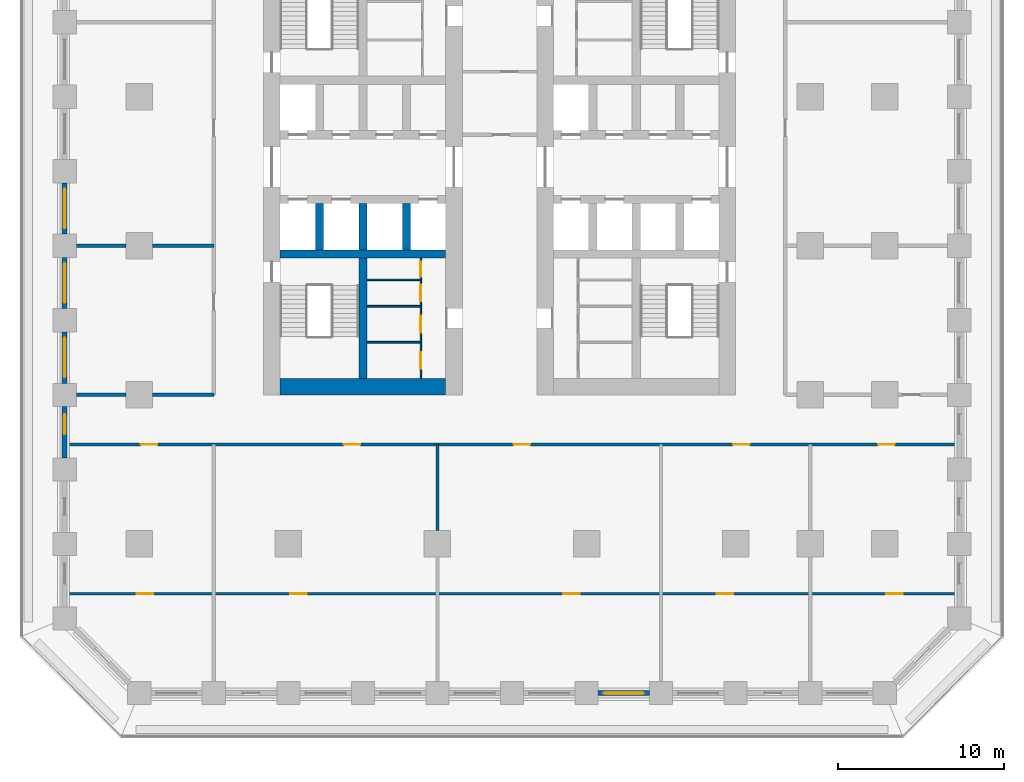
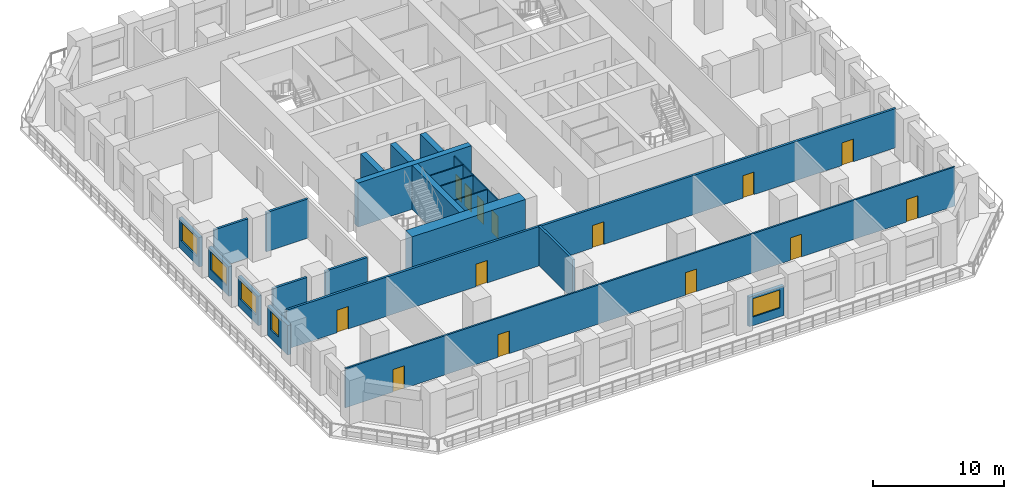
# One storey, part 3 of 11: 25 walls, 14 doors, 5 windows, 19 openings.
"""IFC4 building model written with IfcOpenShell, lengths in metres."""

from ifc_helpers import new_model, si_unit, direction, frame, frame_2d, origin, place, context, subcontext, project, spatial, rectangle, extrude, material, layer, layer_set, type_object, element, fill, save


model = new_model("IFC4")

# Units and contexts
model_context = context("Model", 3, precision=1e-05, world=origin(), true_north=direction((0.0, 1.0)))
body_context = subcontext(model_context, "Body", "Model", "MODEL_VIEW")
ifc_project = project(units=[si_unit("LENGTHUNIT", "METRE"), si_unit("AREAUNIT", "SQUARE_METRE"), si_unit("VOLUMEUNIT", "CUBIC_METRE"), si_unit("PLANEANGLEUNIT", "RADIAN"), si_unit("MASSUNIT", "GRAM", prefix="KILO")], contexts=[model_context])

# Site, building, storey
site_placement = place(None, origin())
site = spatial("IfcSite", under=ifc_project, at=site_placement, CompositionType="ELEMENT")
building_placement = place(site_placement, origin())
building = spatial("IfcBuilding", under=site, at=building_placement, Name="Corbel Stack Research Tower", CompositionType="ELEMENT")
storey_placement = place(building_placement, frame((0.0, 0.0, 54.199951171875)))
storey = spatial("IfcBuildingStorey", under=building, at=storey_placement, Name="L12", CompositionType="ELEMENT", Elevation=54.199951171875)

# Walls
ifc_material_1 = material(Name="Concrete C70/85", Category="concrete")
ifc_layer_1 = layer(ifc_material_1, 1.0)
ifc_layer_set_1 = layer_set([ifc_layer_1], Name="Concrete C70/85")
wall_type_1 = type_object("IfcWallType", Name="CW-1000-70", PredefinedType="SHEAR", material=ifc_layer_set_1)
wall_1_placement = place(storey_placement, frame((-9.5, -8.5, 0.0), z_axis=(0.0, 0.0, 1.0), x_axis=(1.0, 0.0, 0.0)))
element("IfcWall", 1, at=wall_1_placement, inside=storey, type_object=wall_type_1, Name="West core wall, south end L12", PredefinedType="SHEAR", context=body_context, shape_type="SweptSolid", body=[
    extrude(rectangle(XDim=10.0, YDim=1.0, at=frame_2d((5.0, 0.0))), origin(), (0.0, 0.0, 1.0), 4.10009765625),
])
ifc_material_2 = material(Name="Concrete C70/85", Category="concrete")
ifc_layer_2 = layer(ifc_material_2, 0.5)
ifc_layer_set_2 = layer_set([ifc_layer_2], Name="Concrete C70/85")
wall_type_2 = type_object("IfcWallType", Name="CW-500-70", PredefinedType="SHEAR", material=ifc_layer_set_2)
wall_2_placement = place(storey_placement, frame((-9.5, -0.5, 0.0), z_axis=(0.0, 0.0, 1.0), x_axis=(1.0, 0.0, 0.0)))
element("IfcWall", 2, at=wall_2_placement, inside=storey, type_object=wall_type_2, Name="West core wall, south row back L12", PredefinedType="SHEAR", context=body_context, shape_type="SweptSolid", body=[
    extrude(rectangle(XDim=10.0, YDim=0.5, at=frame_2d((5.0, 0.0))), origin(), (0.0, 0.0, 1.0), 4.10009765625),
])
for number, where, z_axis, x_axis, name in (
    (3, (-7.125, -0.25, 0.0), (0.0, 0.0, 1.0), (0.0, 1.0, 0.0), "West core wall, south shaft 1 L12"),
    (4, (-4.5, -0.25, 0.0), (0.0, 0.0, 1.0), (0.0, 1.0, 0.0), "West core wall, south shaft 2 L12"),
    (5, (-1.875, -0.25, 0.0), (0.0, 0.0, 1.0), (0.0, 1.0, 0.0), "West core wall, south shaft 3 L12"),
):
    element("IfcWall", number, at=place(storey_placement, frame(where, z_axis=z_axis, x_axis=x_axis)), inside=storey, type_object=wall_type_2, Name=name, PredefinedType="SHEAR", context=body_context, shape_type="SweptSolid", body=[
        extrude(rectangle(XDim=2.800048828125, YDim=0.5, at=frame_2d((1.39990234375, 0.0))), origin(), (0.0, 0.0, 1.0), 4.10009765625),
    ])
wall_3_placement = place(storey_placement, frame((-4.5, -8.0, 0.0), z_axis=(0.0, 0.0, 1.0), x_axis=(0.0, 1.0, 0.0)))
element("IfcWall", 6, at=wall_3_placement, inside=storey, type_object=wall_type_2, Name="West core wall, south stair and WC L12", PredefinedType="SHEAR", context=body_context, shape_type="SweptSolid", body=[
    extrude(rectangle(XDim=7.25, YDim=0.5, at=frame_2d((3.625, 0.0))), origin(), (0.0, 0.0, 1.0), 4.10009765625),
])

# Wall, opening, door
ifc_material_3 = material(Name="Gypsum board")
ifc_layer_3 = layer(ifc_material_3, 0.10009765625)
ifc_layer_set_3 = layer_set([ifc_layer_3], Name="Gypsum board")
wall_type_3 = type_object("IfcWallType", Name="Core partition 100", PredefinedType="PARTITIONING", material=ifc_layer_set_3)
wall_4_placement = place(storey_placement, frame((-1.0, -8.0, 0.0), z_axis=(0.0, 0.0, 1.0), x_axis=(0.0, 1.0, 0.0)))
wall_4 = element("IfcWall", 7, at=wall_4_placement, inside=storey, type_object=wall_type_3, Name="Core partition W", PredefinedType="PARTITIONING", context=body_context, shape_type="SweptSolid", body=[
    extrude(rectangle(XDim=2.175048828125, YDim=0.10009765625, at=frame_2d((1.08740234375, 0.0))), origin(), (0.0, 0.0, 1.0), 3.650146484375),
])
opening_1_placement = place(wall_4_placement, frame((0.58740234375, 0.0, 0.0)))
opening_1 = element("IfcOpeningElement", 8, at=opening_1_placement, cuts=wall_4, Name="Opening CR-W42-W2-1000", PredefinedType="OPENING", context=body_context, shape_type="SweptSolid", body=[
    extrude(rectangle(XDim=1.0, YDim=2.10009765625, at=frame_2d((0.5, 1.050048828125))), frame((0.0, 0.06005859375, 0.0), z_axis=(0.0, -1.0, 0.0), x_axis=(1.0, 0.0, 0.0)), (0.0, 0.0, 1.0), 0.1201171875),
])
ifc_material_4 = material(Name="Painted timber door", Category="wood")
door_type_1 = type_object("IfcDoorType", Name="WC door 1000 x 2100 right hand", OperationType="SINGLE_SWING_RIGHT", PredefinedType="DOOR", material=ifc_material_4)
door_1_placement = place(opening_1_placement, origin())
door_1 = element("IfcDoor", 9, at=door_1_placement, inside=storey, type_object=door_type_1, Name="Men's WC door W core", OperationType="SINGLE_SWING_RIGHT", OverallHeight=2.10009765625, OverallWidth=1.0, PredefinedType="DOOR", context=body_context, shape_type="SweptSolid", body=[
    extrude(rectangle(XDim=1.0, YDim=2.10009765625, at=frame_2d((0.5, 1.050048828125))), frame((0.0, 0.02490234375, 0.0), z_axis=(0.0, -1.0, 0.0), x_axis=(1.0, 0.0, 0.0)), (0.0, 0.0, 1.0), 0.050048828125),
])
fill(opening_1, door_1)

wall_5_placement = place(storey_placement, frame((-1.0, -5.824951171875, 0.0), z_axis=(0.0, 0.0, 1.0), x_axis=(0.0, 1.0, 0.0)))
wall_5 = element("IfcWall", 10, at=wall_5_placement, inside=storey, type_object=wall_type_3, Name="Core partition W", PredefinedType="PARTITIONING", context=body_context, shape_type="SweptSolid", body=[
    extrude(rectangle(XDim=2.175048828125, YDim=0.10009765625, at=frame_2d((1.08740234375, 0.0))), origin(), (0.0, 0.0, 1.0), 3.650146484375),
])
opening_2_placement = place(wall_5_placement, frame((0.58740234375, 0.0, 0.0)))
opening_2 = element("IfcOpeningElement", 11, at=opening_2_placement, cuts=wall_5, Name="Opening CR-W42-W3-1000", PredefinedType="OPENING", context=body_context, shape_type="SweptSolid", body=[
    extrude(rectangle(XDim=1.0, YDim=2.10009765625, at=frame_2d((0.5, 1.050048828125))), frame((0.0, 0.06005859375, 0.0), z_axis=(0.0, -1.0, 0.0), x_axis=(1.0, 0.0, 0.0)), (0.0, 0.0, 1.0), 0.1201171875),
])
ifc_material_5 = material(Name="Painted timber door", Category="wood")
door_type_2 = type_object("IfcDoorType", Name="WC door 1000 x 2100 left hand", OperationType="SINGLE_SWING_LEFT", PredefinedType="DOOR", material=ifc_material_5)
door_2_placement = place(opening_2_placement, origin())
door_2 = element("IfcDoor", 12, at=door_2_placement, inside=storey, type_object=door_type_2, Name="Women's WC door W core", OperationType="SINGLE_SWING_LEFT", OverallHeight=2.10009765625, OverallWidth=1.0, PredefinedType="DOOR", context=body_context, shape_type="SweptSolid", body=[
    extrude(rectangle(XDim=1.0, YDim=2.10009765625, at=frame_2d((0.5, 1.050048828125))), frame((0.0, 0.02490234375, 0.0), z_axis=(0.0, -1.0, 0.0), x_axis=(1.0, 0.0, 0.0)), (0.0, 0.0, 1.0), 0.050048828125),
])
fill(opening_2, door_2)

wall_6_placement = place(storey_placement, frame((-1.0, -3.64990234375, 0.0), z_axis=(0.0, 0.0, 1.0), x_axis=(0.0, 1.0, 0.0)))
wall_6 = element("IfcWall", 13, at=wall_6_placement, inside=storey, type_object=wall_type_3, Name="Core partition W", PredefinedType="PARTITIONING", context=body_context, shape_type="SweptSolid", body=[
    extrude(rectangle(XDim=1.594970703125, YDim=0.10009765625, at=frame_2d((0.79736328125, 0.0))), origin(), (0.0, 0.0, 1.0), 3.650146484375),
])
opening_3_placement = place(wall_6_placement, frame((0.297607421875, 0.0, 0.0)))
opening_3 = element("IfcOpeningElement", 14, at=opening_3_placement, cuts=wall_6, Name="Opening CR-W42-W4-1000", PredefinedType="OPENING", context=body_context, shape_type="SweptSolid", body=[
    extrude(rectangle(XDim=1.0, YDim=2.10009765625, at=frame_2d((0.5, 1.050048828125))), frame((0.0, 0.06005859375, 0.0), z_axis=(0.0, -1.0, 0.0), x_axis=(1.0, 0.0, 0.0)), (0.0, 0.0, 1.0), 0.1201171875),
])
door_3_placement = place(opening_3_placement, origin())
door_3 = element("IfcDoor", 15, at=door_3_placement, inside=storey, type_object=door_type_1, Name="Accessible WC door W core", OperationType="SINGLE_SWING_RIGHT", OverallHeight=2.10009765625, OverallWidth=1.0, PredefinedType="DOOR", context=body_context, shape_type="SweptSolid", body=[
    extrude(rectangle(XDim=1.0, YDim=2.10009765625, at=frame_2d((0.5, 1.050048828125))), frame((0.0, 0.02490234375, 0.0), z_axis=(0.0, -1.0, 0.0), x_axis=(1.0, 0.0, 0.0)), (0.0, 0.0, 1.0), 0.050048828125),
])
fill(opening_3, door_3)

wall_7_placement = place(storey_placement, frame((-1.0, -2.054931640625, 0.0), z_axis=(0.0, 0.0, 1.0), x_axis=(0.0, 1.0, 0.0)))
wall_7 = element("IfcWall", 16, at=wall_7_placement, inside=storey, type_object=wall_type_3, Name="Core partition W", PredefinedType="PARTITIONING", context=body_context, shape_type="SweptSolid", body=[
    extrude(rectangle(XDim=1.304931640625, YDim=0.10009765625, at=frame_2d((0.65234375, 0.0))), origin(), (0.0, 0.0, 1.0), 3.650146484375),
])
opening_4_placement = place(wall_7_placement, frame((0.199951171875, 0.0, 0.0)))
opening_4 = element("IfcOpeningElement", 17, at=opening_4_placement, cuts=wall_7, Name="Opening CR-W42-W5-905", PredefinedType="OPENING", context=body_context, shape_type="SweptSolid", body=[
    extrude(rectangle(XDim=0.905029296875, YDim=2.10009765625, at=frame_2d((0.45263671875, 1.050048828125))), frame((0.0, 0.06005859375, 0.0), z_axis=(0.0, -1.0, 0.0), x_axis=(1.0, 0.0, 0.0)), (0.0, 0.0, 1.0), 0.1201171875),
])
ifc_material_6 = material(Name="Painted steel door", Category="steel")
door_type_3 = type_object("IfcDoorType", Name="Service door 905 x 2100 FD30 left hand", OperationType="SINGLE_SWING_LEFT", PredefinedType="DOOR", material=ifc_material_6)
door_4_placement = place(opening_4_placement, origin())
door_4 = element("IfcDoor", 18, at=door_4_placement, inside=storey, type_object=door_type_3, Name="Cleaner's store door W core", OperationType="SINGLE_SWING_LEFT", OverallHeight=2.10009765625, OverallWidth=0.905029296875, PredefinedType="DOOR", context=body_context, shape_type="SweptSolid", body=[
    extrude(rectangle(XDim=0.905029296875, YDim=2.10009765625, at=frame_2d((0.45263671875, 1.050048828125))), frame((0.0, 0.02490234375, 0.0), z_axis=(0.0, -1.0, 0.0), x_axis=(1.0, 0.0, 0.0)), (0.0, 0.0, 1.0), 0.050048828125),
])
fill(opening_4, door_4)

# Walls
for number, where, z_axis, x_axis, name in (
    (19, (-4.25, -5.824951171875, 0.0), (0.0, 0.0, 1.0), (1.0, 0.0, 0.0), "Core partition W"),
    (20, (-4.25, -3.64990234375, 0.0), (0.0, 0.0, 1.0), (1.0, 0.0, 0.0), "Core partition W"),
    (21, (-4.25, -2.054931640625, 0.0), (0.0, 0.0, 1.0), (1.0, 0.0, 0.0), "Core partition W"),
):
    element("IfcWall", number, at=place(storey_placement, frame(where, z_axis=z_axis, x_axis=x_axis)), inside=storey, type_object=wall_type_3, Name=name, PredefinedType="PARTITIONING", context=body_context, shape_type="SweptSolid", body=[
        extrude(rectangle(XDim=3.25, YDim=0.10009765625, at=frame_2d((1.625, 0.0))), origin(), (0.0, 0.0, 1.0), 3.650146484375),
    ])
ifc_material_7 = material(Name="Fire-rated gypsum board partition on steel studs", Category="steel")
ifc_layer_4 = layer(ifc_material_7, 0.199951171875)
ifc_layer_set_4 = layer_set([ifc_layer_4], Name="Fire-rated gypsum board partition on steel studs")
wall_type_4 = type_object("IfcWallType", Name="Fire-rated partition 200 EI 60", PredefinedType="PARTITIONING", material=ifc_layer_set_4)
wall_8_placement = place(storey_placement, frame((0.0, -17.199951171875, 0.0), z_axis=(0.0, 0.0, 1.0), x_axis=(0.0, 1.0, 0.0)))
element("IfcWall", 22, at=wall_8_placement, inside=storey, type_object=wall_type_4, Name="Partition L12-005", PredefinedType="PARTITIONING", context=body_context, shape_type="SweptSolid", body=[
    extrude(rectangle(XDim=5.199951171875, YDim=0.199951171875, at=frame_2d((2.60009765625, 0.0))), origin(), (0.0, 0.0, 1.0), 3.650146484375),
])

# Wall, openings, doors
wall_9_placement = place(storey_placement, frame((31.35009765625, -12.0, 0.0), z_axis=(0.0, 0.0, 1.0), x_axis=(-1.0, 0.0, 0.0)))
wall_9 = element("IfcWall", 23, at=wall_9_placement, inside=storey, type_object=wall_type_4, Name="Partition L12-014", PredefinedType="PARTITIONING", context=body_context, shape_type="SweptSolid", body=[
    extrude(rectangle(XDim=53.7001953125, YDim=0.199951171875, at=frame_2d((26.85009765625, 0.0))), origin(), (0.0, 0.0, 1.0), 3.650146484375),
])
opening_5_placement = place(wall_9_placement, frame((48.25, 0.0, 0.0)))
opening_5 = element("IfcOpeningElement", 24, at=opening_5_placement, cuts=wall_9, Name="Opening B2V1-008", PredefinedType="OPENING", context=body_context, shape_type="SweptSolid", body=[
    extrude(rectangle(XDim=1.0, YDim=2.10009765625, at=frame_2d((0.5, 1.050048828125))), frame((0.0, 0.10986328125, 0.0), z_axis=(0.0, -1.0, 0.0), x_axis=(1.0, 0.0, 0.0)), (0.0, 0.0, 1.0), 0.219970703125),
])
opening_6_placement = place(wall_9_placement, frame((36.0, 0.0, 0.0)))
opening_6 = element("IfcOpeningElement", 25, at=opening_6_placement, cuts=wall_9, Name="Opening B2V1-009", PredefinedType="OPENING", context=body_context, shape_type="SweptSolid", body=[
    extrude(rectangle(XDim=1.0, YDim=2.10009765625, at=frame_2d((0.5, 1.050048828125))), frame((0.0, 0.10986328125, 0.0), z_axis=(0.0, -1.0, 0.0), x_axis=(1.0, 0.0, 0.0)), (0.0, 0.0, 1.0), 0.219970703125),
])
opening_7_placement = place(wall_9_placement, frame((25.75, 0.0, 0.0)))
opening_7 = element("IfcOpeningElement", 26, at=opening_7_placement, cuts=wall_9, Name="Opening B2V1-010", PredefinedType="OPENING", context=body_context, shape_type="SweptSolid", body=[
    extrude(rectangle(XDim=1.0, YDim=2.10009765625, at=frame_2d((0.5, 1.050048828125))), frame((0.0, 0.10986328125, 0.0), z_axis=(0.0, -1.0, 0.0), x_axis=(1.0, 0.0, 0.0)), (0.0, 0.0, 1.0), 0.219970703125),
])
opening_8_placement = place(wall_9_placement, frame((12.5, 0.0, 0.0)))
opening_8 = element("IfcOpeningElement", 27, at=opening_8_placement, cuts=wall_9, Name="Opening B2V1-011", PredefinedType="OPENING", context=body_context, shape_type="SweptSolid", body=[
    extrude(rectangle(XDim=1.0, YDim=2.10009765625, at=frame_2d((0.5, 1.050048828125))), frame((0.0, 0.10986328125, 0.0), z_axis=(0.0, -1.0, 0.0), x_axis=(1.0, 0.0, 0.0)), (0.0, 0.0, 1.0), 0.219970703125),
])
opening_9_placement = place(wall_9_placement, frame((3.75, 0.0, 0.0)))
opening_9 = element("IfcOpeningElement", 28, at=opening_9_placement, cuts=wall_9, Name="Opening B2V1-012", PredefinedType="OPENING", context=body_context, shape_type="SweptSolid", body=[
    extrude(rectangle(XDim=1.0, YDim=2.10009765625, at=frame_2d((0.5, 1.050048828125))), frame((0.0, 0.10986328125, 0.0), z_axis=(0.0, -1.0, 0.0), x_axis=(1.0, 0.0, 0.0)), (0.0, 0.0, 1.0), 0.219970703125),
])
ifc_material_8 = material(Name="Painted steel fire door", Category="steel")
door_type_4 = type_object("IfcDoorType", Name="Fire door FD30S 1000 x 2100", OperationType="NOTDEFINED", PredefinedType="DOOR", material=ifc_material_8)
door_5_placement = place(opening_5_placement, origin())
door_5 = element("IfcDoor", 29, at=door_5_placement, inside=storey, type_object=door_type_4, Name="Door B2V1-008", OperationType="SINGLE_SWING_RIGHT", OverallHeight=2.10009765625, OverallWidth=1.0, PredefinedType="DOOR", context=body_context, shape_type="SweptSolid", body=[
    extrude(rectangle(XDim=1.0, YDim=2.10009765625, at=frame_2d((0.5, 1.050048828125))), frame((0.0, 0.02490234375, 0.0), z_axis=(0.0, -1.0, 0.0), x_axis=(1.0, 0.0, 0.0)), (0.0, 0.0, 1.0), 0.050048828125),
])
fill(opening_5, door_5)
door_6_placement = place(opening_6_placement, origin())
door_6 = element("IfcDoor", 30, at=door_6_placement, inside=storey, type_object=door_type_4, Name="Door B2V1-009", OperationType="SINGLE_SWING_RIGHT", OverallHeight=2.10009765625, OverallWidth=1.0, PredefinedType="DOOR", context=body_context, shape_type="SweptSolid", body=[
    extrude(rectangle(XDim=1.0, YDim=2.10009765625, at=frame_2d((0.5, 1.050048828125))), frame((0.0, 0.02490234375, 0.0), z_axis=(0.0, -1.0, 0.0), x_axis=(1.0, 0.0, 0.0)), (0.0, 0.0, 1.0), 0.050048828125),
])
fill(opening_6, door_6)
door_7_placement = place(opening_7_placement, origin())
door_7 = element("IfcDoor", 31, at=door_7_placement, inside=storey, type_object=door_type_4, Name="Door B2V1-010", OperationType="SINGLE_SWING_LEFT", OverallHeight=2.10009765625, OverallWidth=1.0, PredefinedType="DOOR", context=body_context, shape_type="SweptSolid", body=[
    extrude(rectangle(XDim=1.0, YDim=2.10009765625, at=frame_2d((0.5, 1.050048828125))), frame((0.0, 0.02490234375, 0.0), z_axis=(0.0, -1.0, 0.0), x_axis=(1.0, 0.0, 0.0)), (0.0, 0.0, 1.0), 0.050048828125),
])
fill(opening_7, door_7)
door_8_placement = place(opening_8_placement, origin())
door_8 = element("IfcDoor", 32, at=door_8_placement, inside=storey, type_object=door_type_4, Name="Door B2V1-011", OperationType="SINGLE_SWING_LEFT", OverallHeight=2.10009765625, OverallWidth=1.0, PredefinedType="DOOR", context=body_context, shape_type="SweptSolid", body=[
    extrude(rectangle(XDim=1.0, YDim=2.10009765625, at=frame_2d((0.5, 1.050048828125))), frame((0.0, 0.02490234375, 0.0), z_axis=(0.0, -1.0, 0.0), x_axis=(1.0, 0.0, 0.0)), (0.0, 0.0, 1.0), 0.050048828125),
])
fill(opening_8, door_8)
door_9_placement = place(opening_9_placement, origin())
door_9 = element("IfcDoor", 33, at=door_9_placement, inside=storey, type_object=door_type_4, Name="Door B2V1-012", OperationType="SINGLE_SWING_LEFT", OverallHeight=2.10009765625, OverallWidth=1.0, PredefinedType="DOOR", context=body_context, shape_type="SweptSolid", body=[
    extrude(rectangle(XDim=1.0, YDim=2.10009765625, at=frame_2d((0.5, 1.050048828125))), frame((0.0, 0.02490234375, 0.0), z_axis=(0.0, -1.0, 0.0), x_axis=(1.0, 0.0, 0.0)), (0.0, 0.0, 1.0), 0.050048828125),
])
fill(opening_9, door_9)

# Walls
wall_10_placement = place(storey_placement, frame((-21.800048828125, -9.0, 0.0), z_axis=(0.0, 0.0, 1.0), x_axis=(1.0, 0.0, 0.0)))
element("IfcWall", 34, at=wall_10_placement, inside=storey, type_object=wall_type_4, Name="Partition L12-015", PredefinedType="PARTITIONING", context=body_context, shape_type="SweptSolid", body=[
    extrude(rectangle(XDim=3.0, YDim=0.199951171875, at=frame_2d((1.5, 0.0))), origin(), (0.0, 0.0, 1.0), 3.650146484375),
])
wall_11_placement = place(storey_placement, frame((-17.199951171875, -9.0, 0.0), z_axis=(0.0, 0.0, 1.0), x_axis=(1.0, 0.0, 0.0)))
element("IfcWall", 35, at=wall_11_placement, inside=storey, type_object=wall_type_4, Name="Partition L12-016", PredefinedType="PARTITIONING", context=body_context, shape_type="SweptSolid", body=[
    extrude(rectangle(XDim=3.699951171875, YDim=0.199951171875, at=frame_2d((1.85009765625, 0.0))), origin(), (0.0, 0.0, 1.0), 3.650146484375),
])
wall_12_placement = place(storey_placement, frame((-21.800048828125, 0.0, 0.0), z_axis=(0.0, 0.0, 1.0), x_axis=(1.0, 0.0, 0.0)))
element("IfcWall", 36, at=wall_12_placement, inside=storey, type_object=wall_type_4, Name="Partition L12-020", PredefinedType="PARTITIONING", context=body_context, shape_type="SweptSolid", body=[
    extrude(rectangle(XDim=3.0, YDim=0.199951171875, at=frame_2d((1.5, 0.0))), origin(), (0.0, 0.0, 1.0), 3.650146484375),
])
wall_13_placement = place(storey_placement, frame((-17.199951171875, 0.0, 0.0), z_axis=(0.0, 0.0, 1.0), x_axis=(1.0, 0.0, 0.0)))
element("IfcWall", 37, at=wall_13_placement, inside=storey, type_object=wall_type_4, Name="Partition L12-021", PredefinedType="PARTITIONING", context=body_context, shape_type="SweptSolid", body=[
    extrude(rectangle(XDim=3.699951171875, YDim=0.199951171875, at=frame_2d((1.85009765625, 0.0))), origin(), (0.0, 0.0, 1.0), 3.650146484375),
])

# Wall, openings, doors
ifc_material_9 = material(Name="Gypsum board partition on steel studs", Category="steel")
ifc_layer_5 = layer(ifc_material_9, 0.14990234375)
ifc_layer_set_5 = layer_set([ifc_layer_5], Name="Gypsum board partition on steel studs")
wall_type_5 = type_object("IfcWallType", Name="Partition 150", PredefinedType="PARTITIONING", material=ifc_layer_set_5)
wall_14_placement = place(storey_placement, frame((31.35009765625, -21.0, 0.0), z_axis=(0.0, 0.0, 1.0), x_axis=(-1.0, 0.0, 0.0)))
wall_14 = element("IfcWall", 38, at=wall_14_placement, inside=storey, type_object=wall_type_5, Name="Partition L12-013", PredefinedType="PARTITIONING", context=body_context, shape_type="SweptSolid", body=[
    extrude(rectangle(XDim=53.7001953125, YDim=0.14990234375, at=frame_2d((26.85009765625, 0.0))), origin(), (0.0, 0.0, 1.0), 3.650146484375),
])
opening_10_placement = place(wall_14_placement, frame((48.5, 0.0, 0.0)))
opening_10 = element("IfcOpeningElement", 39, at=opening_10_placement, cuts=wall_14, Name="Opening B2V1-001", PredefinedType="OPENING", context=body_context, shape_type="SweptSolid", body=[
    extrude(rectangle(XDim=1.0, YDim=2.10009765625, at=frame_2d((0.5, 1.050048828125))), frame((0.0, 0.0849609375, 0.0), z_axis=(0.0, -1.0, 0.0), x_axis=(1.0, 0.0, 0.0)), (0.0, 0.0, 1.0), 0.169921875),
])
opening_11_placement = place(wall_14_placement, frame((39.25, 0.0, 0.0)))
opening_11 = element("IfcOpeningElement", 40, at=opening_11_placement, cuts=wall_14, Name="Opening B2V1-002", PredefinedType="OPENING", context=body_context, shape_type="SweptSolid", body=[
    extrude(rectangle(XDim=1.0, YDim=2.10009765625, at=frame_2d((0.5, 1.050048828125))), frame((0.0, 0.0849609375, 0.0), z_axis=(0.0, -1.0, 0.0), x_axis=(1.0, 0.0, 0.0)), (0.0, 0.0, 1.0), 0.169921875),
])
opening_12_placement = place(wall_14_placement, frame((22.75, 0.0, 0.0)))
opening_12 = element("IfcOpeningElement", 41, at=opening_12_placement, cuts=wall_14, Name="Opening B2V1-003", PredefinedType="OPENING", context=body_context, shape_type="SweptSolid", body=[
    extrude(rectangle(XDim=1.0, YDim=2.10009765625, at=frame_2d((0.5, 1.050048828125))), frame((0.0, 0.0849609375, 0.0), z_axis=(0.0, -1.0, 0.0), x_axis=(1.0, 0.0, 0.0)), (0.0, 0.0, 1.0), 0.169921875),
])
opening_13_placement = place(wall_14_placement, frame((13.5, 0.0, 0.0)))
opening_13 = element("IfcOpeningElement", 42, at=opening_13_placement, cuts=wall_14, Name="Opening B2V1-004", PredefinedType="OPENING", context=body_context, shape_type="SweptSolid", body=[
    extrude(rectangle(XDim=1.0, YDim=2.10009765625, at=frame_2d((0.5, 1.050048828125))), frame((0.0, 0.0849609375, 0.0), z_axis=(0.0, -1.0, 0.0), x_axis=(1.0, 0.0, 0.0)), (0.0, 0.0, 1.0), 0.169921875),
])
opening_14_placement = place(wall_14_placement, frame((3.25, 0.0, 0.0)))
opening_14 = element("IfcOpeningElement", 43, at=opening_14_placement, cuts=wall_14, Name="Opening B2V1-005", PredefinedType="OPENING", context=body_context, shape_type="SweptSolid", body=[
    extrude(rectangle(XDim=1.0, YDim=2.10009765625, at=frame_2d((0.5, 1.050048828125))), frame((0.0, 0.0849609375, 0.0), z_axis=(0.0, -1.0, 0.0), x_axis=(1.0, 0.0, 0.0)), (0.0, 0.0, 1.0), 0.169921875),
])
ifc_material_10 = material(Name="Painted timber door", Category="wood")
door_type_5 = type_object("IfcDoorType", Name="Single door 1000 x 2100", OperationType="NOTDEFINED", PredefinedType="DOOR", material=ifc_material_10)
door_10_placement = place(opening_10_placement, origin())
door_10 = element("IfcDoor", 44, at=door_10_placement, inside=storey, type_object=door_type_5, Name="Door B2V1-001", OperationType="SINGLE_SWING_RIGHT", OverallHeight=2.10009765625, OverallWidth=1.0, PredefinedType="DOOR", context=body_context, shape_type="SweptSolid", body=[
    extrude(rectangle(XDim=1.0, YDim=2.10009765625, at=frame_2d((0.5, 1.050048828125))), frame((0.0, 0.02490234375, 0.0), z_axis=(0.0, -1.0, 0.0), x_axis=(1.0, 0.0, 0.0)), (0.0, 0.0, 1.0), 0.050048828125),
])
fill(opening_10, door_10)
door_11_placement = place(opening_11_placement, origin())
door_11 = element("IfcDoor", 45, at=door_11_placement, inside=storey, type_object=door_type_5, Name="Door B2V1-002", OperationType="SINGLE_SWING_RIGHT", OverallHeight=2.10009765625, OverallWidth=1.0, PredefinedType="DOOR", context=body_context, shape_type="SweptSolid", body=[
    extrude(rectangle(XDim=1.0, YDim=2.10009765625, at=frame_2d((0.5, 1.050048828125))), frame((0.0, 0.02490234375, 0.0), z_axis=(0.0, -1.0, 0.0), x_axis=(1.0, 0.0, 0.0)), (0.0, 0.0, 1.0), 0.050048828125),
])
fill(opening_11, door_11)
door_12_placement = place(opening_12_placement, origin())
door_12 = element("IfcDoor", 46, at=door_12_placement, inside=storey, type_object=door_type_5, Name="Door B2V1-003", OperationType="SINGLE_SWING_LEFT", OverallHeight=2.10009765625, OverallWidth=1.0, PredefinedType="DOOR", context=body_context, shape_type="SweptSolid", body=[
    extrude(rectangle(XDim=1.0, YDim=2.10009765625, at=frame_2d((0.5, 1.050048828125))), frame((0.0, 0.02490234375, 0.0), z_axis=(0.0, -1.0, 0.0), x_axis=(1.0, 0.0, 0.0)), (0.0, 0.0, 1.0), 0.050048828125),
])
fill(opening_12, door_12)
door_13_placement = place(opening_13_placement, origin())
door_13 = element("IfcDoor", 47, at=door_13_placement, inside=storey, type_object=door_type_5, Name="Door B2V1-004", OperationType="SINGLE_SWING_LEFT", OverallHeight=2.10009765625, OverallWidth=1.0, PredefinedType="DOOR", context=body_context, shape_type="SweptSolid", body=[
    extrude(rectangle(XDim=1.0, YDim=2.10009765625, at=frame_2d((0.5, 1.050048828125))), frame((0.0, 0.02490234375, 0.0), z_axis=(0.0, -1.0, 0.0), x_axis=(1.0, 0.0, 0.0)), (0.0, 0.0, 1.0), 0.050048828125),
])
fill(opening_13, door_13)
door_14_placement = place(opening_14_placement, origin())
door_14 = element("IfcDoor", 48, at=door_14_placement, inside=storey, type_object=door_type_5, Name="Door B2V1-005", OperationType="SINGLE_SWING_LEFT", OverallHeight=2.10009765625, OverallWidth=1.0, PredefinedType="DOOR", context=body_context, shape_type="SweptSolid", body=[
    extrude(rectangle(XDim=1.0, YDim=2.10009765625, at=frame_2d((0.5, 1.050048828125))), frame((0.0, 0.02490234375, 0.0), z_axis=(0.0, -1.0, 0.0), x_axis=(1.0, 0.0, 0.0)), (0.0, 0.0, 1.0), 0.050048828125),
])
fill(opening_14, door_14)

# Wall, opening, window
ifc_material_11 = material(Name="Concrete C45/55", Category="concrete")
ifc_layer_6 = layer(ifc_material_11, 0.300048828125)
ifc_layer_set_6 = layer_set([ifc_layer_6], Name="Concrete C45/55")
wall_type_6 = type_object("IfcWallType", Name="Terracotta-faced concrete wall 300", PredefinedType="SOLIDWALL", material=ifc_layer_set_6)
wall_15_placement = place(storey_placement, frame((12.800048828125, -27.0, 0.0), z_axis=(0.0, 0.0, 1.0), x_axis=(-1.0, 0.0, 0.0)))
wall_15 = element("IfcWall", 49, at=wall_15_placement, inside=storey, type_object=wall_type_6, Name="Facade wall L12 S07", PredefinedType="SOLIDWALL", context=body_context, shape_type="SweptSolid", body=[
    extrude(rectangle(XDim=3.10009765625, YDim=0.300048828125, at=frame_2d((1.550048828125, 0.0))), origin(), (0.0, 0.0, 1.0), 2.75),
])
opening_15_placement = place(wall_15_placement, frame((0.35009765625, 0.0, 0.800048828125)))
opening_15 = element("IfcOpeningElement", 50, at=opening_15_placement, cuts=wall_15, Name="Opening W1", PredefinedType="OPENING", context=body_context, shape_type="SweptSolid", body=[
    extrude(rectangle(XDim=2.39990234375, YDim=1.699951171875, at=frame_2d((1.199951171875, 0.85009765625))), frame((0.0, 0.159912109375, 0.0), z_axis=(0.0, -1.0, 0.0), x_axis=(1.0, 0.0, 0.0)), (0.0, 0.0, 1.0), 0.320068359375),
])
ifc_material_12 = material(Name="Aluminium frame, clear double glazing", Category="aluminium")
window_type_1 = type_object("IfcWindowType", Name="Window W1 2400 x 1700", PartitioningType="SINGLE_PANEL", PredefinedType="WINDOW", material=ifc_material_12)
window_1_placement = place(opening_15_placement, origin())
window_1 = element("IfcWindow", 51, at=window_1_placement, inside=storey, type_object=window_type_1, Name="Window W1 L12 S07", OverallHeight=1.699951171875, OverallWidth=2.39990234375, PartitioningType="SINGLE_PANEL", PredefinedType="WINDOW", context=body_context, shape_type="SweptSolid", body=[
    extrude(rectangle(XDim=2.39990234375, YDim=1.699951171875, at=frame_2d((1.199951171875, 0.85009765625))), frame((0.0, 0.030029296875, 0.0), z_axis=(0.0, -1.0, 0.0), x_axis=(1.0, 0.0, 0.0)), (0.0, 0.0, 1.0), 0.06005859375),
])
fill(opening_15, window_1)

wall_16_placement = place(storey_placement, frame((-22.5, 0.699951171875, 0.0), z_axis=(0.0, 0.0, 1.0), x_axis=(0.0, 1.0, 0.0)))
wall_16 = element("IfcWall", 52, at=wall_16_placement, inside=storey, type_object=wall_type_6, Name="Facade wall L12 W05", PredefinedType="SOLIDWALL", context=body_context, shape_type="SweptSolid", body=[
    extrude(rectangle(XDim=3.10009765625, YDim=0.300048828125, at=frame_2d((1.550048828125, 0.0))), origin(), (0.0, 0.0, 1.0), 2.75),
])
opening_16_placement = place(wall_16_placement, frame((0.35009765625, 0.0, 0.800048828125)))
opening_16 = element("IfcOpeningElement", 53, at=opening_16_placement, cuts=wall_16, Name="Opening W1", PredefinedType="OPENING", context=body_context, shape_type="SweptSolid", body=[
    extrude(rectangle(XDim=2.39990234375, YDim=1.699951171875, at=frame_2d((1.199951171875, 0.85009765625))), frame((0.0, 0.159912109375, 0.0), z_axis=(0.0, -1.0, 0.0), x_axis=(1.0, 0.0, 0.0)), (0.0, 0.0, 1.0), 0.320068359375),
])
window_2_placement = place(opening_16_placement, origin())
window_2 = element("IfcWindow", 54, at=window_2_placement, inside=storey, type_object=window_type_1, Name="Window W1 L12 W05", OverallHeight=1.699951171875, OverallWidth=2.39990234375, PartitioningType="SINGLE_PANEL", PredefinedType="WINDOW", context=body_context, shape_type="SweptSolid", body=[
    extrude(rectangle(XDim=2.39990234375, YDim=1.699951171875, at=frame_2d((1.199951171875, 0.85009765625))), frame((0.0, 0.030029296875, 0.0), z_axis=(0.0, -1.0, 0.0), x_axis=(1.0, 0.0, 0.0)), (0.0, 0.0, 1.0), 0.06005859375),
])
fill(opening_16, window_2)

wall_17_placement = place(storey_placement, frame((-22.5, -3.800048828125, 0.0), z_axis=(0.0, 0.0, 1.0), x_axis=(0.0, 1.0, 0.0)))
wall_17 = element("IfcWall", 55, at=wall_17_placement, inside=storey, type_object=wall_type_6, Name="Facade wall L12 W06", PredefinedType="SOLIDWALL", context=body_context, shape_type="SweptSolid", body=[
    extrude(rectangle(XDim=3.10009765625, YDim=0.300048828125, at=frame_2d((1.550048828125, 0.0))), origin(), (0.0, 0.0, 1.0), 2.75),
])
opening_17_placement = place(wall_17_placement, frame((0.35009765625, 0.0, 0.800048828125)))
opening_17 = element("IfcOpeningElement", 56, at=opening_17_placement, cuts=wall_17, Name="Opening W1", PredefinedType="OPENING", context=body_context, shape_type="SweptSolid", body=[
    extrude(rectangle(XDim=2.39990234375, YDim=1.699951171875, at=frame_2d((1.199951171875, 0.85009765625))), frame((0.0, 0.159912109375, 0.0), z_axis=(0.0, -1.0, 0.0), x_axis=(1.0, 0.0, 0.0)), (0.0, 0.0, 1.0), 0.320068359375),
])
window_3_placement = place(opening_17_placement, origin())
window_3 = element("IfcWindow", 57, at=window_3_placement, inside=storey, type_object=window_type_1, Name="Window W1 L12 W06", OverallHeight=1.699951171875, OverallWidth=2.39990234375, PartitioningType="SINGLE_PANEL", PredefinedType="WINDOW", context=body_context, shape_type="SweptSolid", body=[
    extrude(rectangle(XDim=2.39990234375, YDim=1.699951171875, at=frame_2d((1.199951171875, 0.85009765625))), frame((0.0, 0.030029296875, 0.0), z_axis=(0.0, -1.0, 0.0), x_axis=(1.0, 0.0, 0.0)), (0.0, 0.0, 1.0), 0.06005859375),
])
fill(opening_17, window_3)

wall_18_placement = place(storey_placement, frame((-22.5, -8.300048828125, 0.0), z_axis=(0.0, 0.0, 1.0), x_axis=(0.0, 1.0, 0.0)))
wall_18 = element("IfcWall", 58, at=wall_18_placement, inside=storey, type_object=wall_type_6, Name="Facade wall L12 W07", PredefinedType="SOLIDWALL", context=body_context, shape_type="SweptSolid", body=[
    extrude(rectangle(XDim=3.10009765625, YDim=0.300048828125, at=frame_2d((1.550048828125, 0.0))), origin(), (0.0, 0.0, 1.0), 2.75),
])
opening_18_placement = place(wall_18_placement, frame((0.35009765625, 0.0, 0.800048828125)))
opening_18 = element("IfcOpeningElement", 59, at=opening_18_placement, cuts=wall_18, Name="Opening W1", PredefinedType="OPENING", context=body_context, shape_type="SweptSolid", body=[
    extrude(rectangle(XDim=2.39990234375, YDim=1.699951171875, at=frame_2d((1.199951171875, 0.85009765625))), frame((0.0, 0.159912109375, 0.0), z_axis=(0.0, -1.0, 0.0), x_axis=(1.0, 0.0, 0.0)), (0.0, 0.0, 1.0), 0.320068359375),
])
window_4_placement = place(opening_18_placement, origin())
window_4 = element("IfcWindow", 60, at=window_4_placement, inside=storey, type_object=window_type_1, Name="Window W1 L12 W07", OverallHeight=1.699951171875, OverallWidth=2.39990234375, PartitioningType="SINGLE_PANEL", PredefinedType="WINDOW", context=body_context, shape_type="SweptSolid", body=[
    extrude(rectangle(XDim=2.39990234375, YDim=1.699951171875, at=frame_2d((1.199951171875, 0.85009765625))), frame((0.0, 0.030029296875, 0.0), z_axis=(0.0, -1.0, 0.0), x_axis=(1.0, 0.0, 0.0)), (0.0, 0.0, 1.0), 0.06005859375),
])
fill(opening_18, window_4)

wall_19_placement = place(storey_placement, frame((-22.5, -12.800048828125, 0.0), z_axis=(0.0, 0.0, 1.0), x_axis=(0.0, 1.0, 0.0)))
wall_19 = element("IfcWall", 61, at=wall_19_placement, inside=storey, type_object=wall_type_6, Name="Facade wall L12 W08", PredefinedType="SOLIDWALL", context=body_context, shape_type="SweptSolid", body=[
    extrude(rectangle(XDim=3.10009765625, YDim=0.300048828125, at=frame_2d((1.550048828125, 0.0))), origin(), (0.0, 0.0, 1.0), 2.75),
])
opening_19_placement = place(wall_19_placement, frame((1.425048828125, 0.0, 0.800048828125)))
opening_19 = element("IfcOpeningElement", 62, at=opening_19_placement, cuts=wall_19, Name="Opening W2", PredefinedType="OPENING", context=body_context, shape_type="SweptSolid", body=[
    extrude(rectangle(XDim=1.199951171875, YDim=1.699951171875, at=frame_2d((0.60009765625, 0.85009765625))), frame((0.0, 0.159912109375, 0.0), z_axis=(0.0, -1.0, 0.0), x_axis=(1.0, 0.0, 0.0)), (0.0, 0.0, 1.0), 0.320068359375),
])
ifc_material_13 = material(Name="Aluminium frame, clear double glazing", Category="aluminium")
window_type_2 = type_object("IfcWindowType", Name="Window W2 1200 x 1700", PartitioningType="SINGLE_PANEL", PredefinedType="WINDOW", material=ifc_material_13)
window_5_placement = place(opening_19_placement, origin())
window_5 = element("IfcWindow", 63, at=window_5_placement, inside=storey, type_object=window_type_2, Name="Window W2 L12 W08", OverallHeight=1.699951171875, OverallWidth=1.199951171875, PartitioningType="SINGLE_PANEL", PredefinedType="WINDOW", context=body_context, shape_type="SweptSolid", body=[
    extrude(rectangle(XDim=1.199951171875, YDim=1.699951171875, at=frame_2d((0.60009765625, 0.85009765625))), frame((0.0, 0.030029296875, 0.0), z_axis=(0.0, -1.0, 0.0), x_axis=(1.0, 0.0, 0.0)), (0.0, 0.0, 1.0), 0.06005859375),
])
fill(opening_19, window_5)

save(model, "model.ifc")
